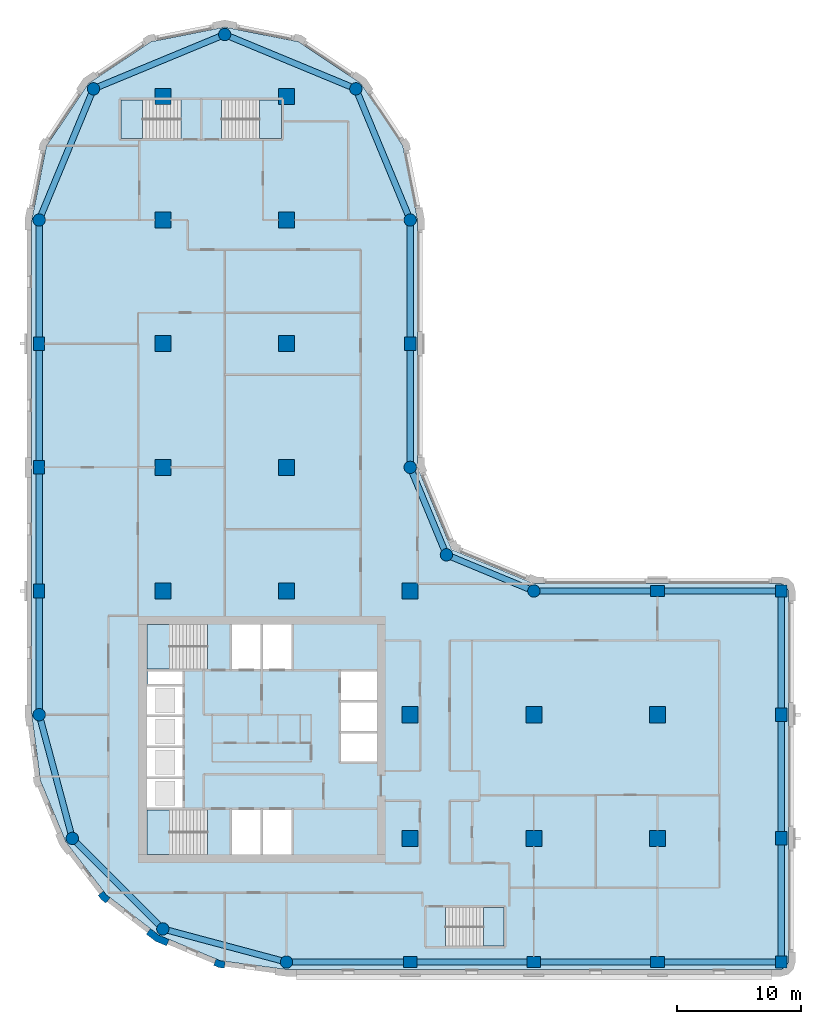
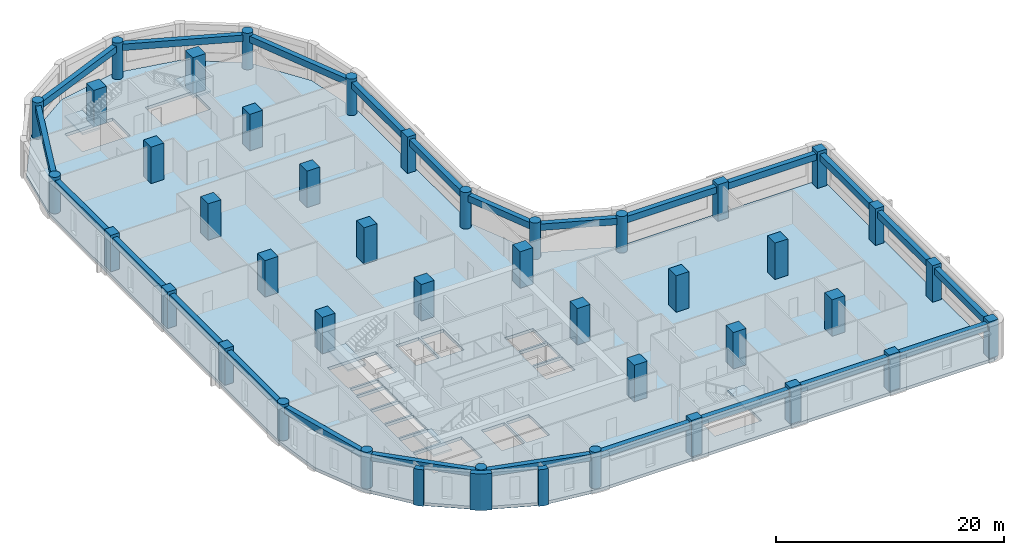
# One storey, part 1 of 10: 41 columns, 24 beams, 6 slabs, 3 walls, 5 elements without a shape of their own.
"""IFC4 building model written with IfcOpenShell, lengths in metres."""

from ifc_helpers import new_model, si_unit, direction, frame, origin, origin_2d, place, context, subcontext, project, spatial, polyline, rectangle, circle, outline, extrude, material, layer, layer_set, material_profile, profile_set, type_object, element, aggregate, save


model = new_model("IFC4")

# Units and contexts
model_context = context("Model", 3, precision=1e-05, world=origin(), true_north=direction((0.0, 1.0)))
body_context = subcontext(model_context, "Body", "Model", "MODEL_VIEW")
ifc_project = project(units=[si_unit("LENGTHUNIT", "METRE"), si_unit("AREAUNIT", "SQUARE_METRE"), si_unit("VOLUMEUNIT", "CUBIC_METRE"), si_unit("PLANEANGLEUNIT", "RADIAN"), si_unit("MASSUNIT", "GRAM", prefix="KILO")], contexts=[model_context])

# Site, building, storey
site_placement = place(None, origin())
site = spatial("IfcSite", under=ifc_project, at=site_placement, CompositionType="ELEMENT")
building_placement = place(site_placement, origin())
building = spatial("IfcBuilding", under=site, at=building_placement, Name="Qaws Garden Tower", CompositionType="ELEMENT")
storey_placement = place(building_placement, frame((0.0, 0.0, 205.800048828125)))
storey = spatial("IfcBuildingStorey", under=building, at=storey_placement, Name="L50", CompositionType="ELEMENT", Elevation=205.800048828125)

# Columns
ifc_material_1 = material(Name="Concrete C70", Category="concrete")
ifc_material_profile_1 = material_profile(ifc_material_1, rectangle(XDim=1.10009765625, YDim=0.89990234375, at=origin_2d()), Name="RC 1100x900")
ifc_profile_set_1 = profile_set([ifc_material_profile_1], Name="Concrete C70")
column_type_1 = type_object("IfcColumnType", Name="Column RC 1100x900 C70", PredefinedType="COLUMN", material=ifc_profile_set_1)
for number, where, z_axis, x_axis, name in (
    (1, (30.0, 0.0, 0.0), (0.0, 0.0, 1.0), (1.0, 0.0, 0.0), "Column L50-002"),
    (2, (40.0, 0.0, 0.0), (0.0, 0.0, 1.0), (1.0, 0.0, 0.0), "Column L50-003"),
    (3, (50.0, 0.0, 0.0), (0.0, 0.0, 1.0), (1.0, 0.0, 0.0), "Column L50-004"),
    (4, (60.0, 10.0, 0.0), (0.0, 0.0, 1.0), (0.0, 1.0, 0.0), "Column L50-006"),
    (5, (60.0, 20.0, 0.0), (0.0, 0.0, 1.0), (0.0, 1.0, 0.0), "Column L50-007"),
    (6, (50.0, 30.0, 0.0), (0.0, 0.0, 1.0), (1.0, 0.0, 0.0), "Column L50-009"),
    (7, (30.0, 50.0, 0.0), (0.0, 0.0, 1.0), (0.0, 1.0, 0.0), "Column L50-013"),
    (8, (0.0, 50.0, 0.0), (0.0, 0.0, 1.0), (0.0, 1.0, 0.0), "Column L50-019"),
    (9, (0.0, 40.0, 0.0), (0.0, 0.0, 1.0), (0.0, 1.0, 0.0), "Column L50-020"),
    (10, (0.0, 30.0, 0.0), (0.0, 0.0, 1.0), (0.0, 1.0, 0.0), "Column L50-021"),
):
    element("IfcColumn", number, at=place(storey_placement, frame(where, z_axis=z_axis, x_axis=x_axis)), inside=storey, type_object=column_type_1, Name=name, PredefinedType="COLUMN", context=body_context, shape_type="SweptSolid", body=[
        extrude(rectangle(XDim=1.10009765625, YDim=0.89990234375, at=origin_2d()), origin(), (0.0, 0.0, 1.0), 3.89990234375),
    ])
ifc_material_2 = material(Name="Concrete C70", Category="concrete")
ifc_material_profile_2 = material_profile(ifc_material_2, rectangle(XDim=1.300048828125, YDim=1.300048828125, at=origin_2d()), Name="RC 1300x1300")
ifc_profile_set_2 = profile_set([ifc_material_profile_2], Name="Concrete C70")
column_type_2 = type_object("IfcColumnType", Name="Column RC 1300x1300 C70", PredefinedType="COLUMN", material=ifc_profile_set_2)
for number, where, z_axis, x_axis, name in (
    (11, (10.0, 30.0, 0.0), (0.0, 0.0, 1.0), (1.0, 0.0, 0.0), "Column L50-025"),
    (12, (10.0, 40.0, 0.0), (0.0, 0.0, 1.0), (1.0, 0.0, 0.0), "Column L50-026"),
    (13, (10.0, 50.0, 0.0), (0.0, 0.0, 1.0), (1.0, 0.0, 0.0), "Column L50-027"),
    (14, (10.0, 60.0, 0.0), (0.0, 0.0, 1.0), (1.0, 0.0, 0.0), "Column L50-028"),
    (15, (10.0, 70.0, 0.0), (0.0, 0.0, 1.0), (1.0, 0.0, 0.0), "Column L50-029"),
    (16, (20.0, 30.0, 0.0), (0.0, 0.0, 1.0), (1.0, 0.0, 0.0), "Column L50-030"),
    (17, (20.0, 40.0, 0.0), (0.0, 0.0, 1.0), (1.0, 0.0, 0.0), "Column L50-031"),
    (18, (20.0, 50.0, 0.0), (0.0, 0.0, 1.0), (1.0, 0.0, 0.0), "Column L50-032"),
    (19, (20.0, 60.0, 0.0), (0.0, 0.0, 1.0), (1.0, 0.0, 0.0), "Column L50-033"),
    (20, (20.0, 70.0, 0.0), (0.0, 0.0, 1.0), (1.0, 0.0, 0.0), "Column L50-034"),
    (21, (30.0, 10.0, 0.0), (0.0, 0.0, 1.0), (1.0, 0.0, 0.0), "Column L50-035"),
    (22, (30.0, 20.0, 0.0), (0.0, 0.0, 1.0), (1.0, 0.0, 0.0), "Column L50-036"),
    (23, (30.0, 30.0, 0.0), (0.0, 0.0, 1.0), (1.0, 0.0, 0.0), "Column L50-037"),
    (24, (40.0, 10.0, 0.0), (0.0, 0.0, 1.0), (1.0, 0.0, 0.0), "Column L50-038"),
    (25, (40.0, 20.0, 0.0), (0.0, 0.0, 1.0), (1.0, 0.0, 0.0), "Column L50-039"),
    (26, (50.0, 10.0, 0.0), (0.0, 0.0, 1.0), (1.0, 0.0, 0.0), "Column L50-040"),
    (27, (50.0, 20.0, 0.0), (0.0, 0.0, 1.0), (1.0, 0.0, 0.0), "Column L50-041"),
):
    element("IfcColumn", number, at=place(storey_placement, frame(where, z_axis=z_axis, x_axis=x_axis)), inside=storey, type_object=column_type_2, Name=name, PredefinedType="COLUMN", context=body_context, shape_type="SweptSolid", body=[
        extrude(rectangle(XDim=1.300048828125, YDim=1.300048828125, at=origin_2d()), origin(), (0.0, 0.0, 1.0), 3.89990234375),
    ])
ifc_material_3 = material(Name="Concrete C70", Category="concrete")
ifc_material_profile_3 = material_profile(ifc_material_3, rectangle(XDim=0.949951171875, YDim=0.949951171875, at=origin_2d()), Name="RC 950x950")
ifc_profile_set_3 = profile_set([ifc_material_profile_3], Name="Concrete C70")
column_type_3 = type_object("IfcColumnType", Name="Column RC 950x950 C70", PredefinedType="COLUMN", material=ifc_profile_set_3)
for number, where, z_axis, x_axis, name in (
    (28, (60.0, 0.0, 0.0), (0.0, 0.0, 1.0), (1.0, 0.0, 0.0), "Column L50-005"),
    (29, (60.0, 30.0, 0.0), (0.0, 0.0, 1.0), (1.0, 0.0, 0.0), "Column L50-008"),
):
    element("IfcColumn", number, at=place(storey_placement, frame(where, z_axis=z_axis, x_axis=x_axis)), inside=storey, type_object=column_type_3, Name=name, PredefinedType="COLUMN", context=body_context, shape_type="SweptSolid", body=[
        extrude(rectangle(XDim=0.949951171875, YDim=0.949951171875, at=origin_2d()), origin(), (0.0, 0.0, 1.0), 3.89990234375),
    ])
ifc_material_4 = material(Name="Concrete C70", Category="concrete")
ifc_material_profile_4 = material_profile(ifc_material_4, circle(Radius=0.5, at=origin_2d()), Name="RC D1000")
ifc_profile_set_4 = profile_set([ifc_material_profile_4], Name="Concrete C70")
column_type_4 = type_object("IfcColumnType", Name="Column RC D1000 C70", PredefinedType="COLUMN", material=ifc_profile_set_4)
for number, where, z_axis, x_axis, name in (
    (30, (20.0, 0.0, 0.0), (0.0, 0.0, 1.0), (1.0, 0.0, 0.0), "Column L50-001"),
    (31, (40.0, 30.0, 0.0), (0.0, 0.0, 1.0), (1.0, 0.0, 0.0), "Column L50-010"),
    (32, (32.928955078125, 32.928955078125, 0.0), (0.0, 0.0, 1.0), (1.0, 0.0, 0.0), "Column L50-011"),
    (33, (30.0, 40.0, 0.0), (0.0, 0.0, 1.0), (1.0, 0.0, 0.0), "Column L50-012"),
    (34, (30.0, 60.0, 0.0), (0.0, 0.0, 1.0), (1.0, 0.0, 0.0), "Column L50-014"),
    (35, (25.606689453125, 70.606689453125, 0.0), (0.0, 0.0, 1.0), (1.0, 0.0, 0.0), "Column L50-015"),
    (36, (15.0, 75.0, 0.0), (0.0, 0.0, 1.0), (1.0, 0.0, 0.0), "Column L50-016"),
    (37, (4.393310546875, 70.606689453125, 0.0), (0.0, 0.0, 1.0), (1.0, 0.0, 0.0), "Column L50-017"),
    (38, (0.0, 60.0, 0.0), (0.0, 0.0, 1.0), (1.0, 0.0, 0.0), "Column L50-018"),
    (39, (0.0, 20.0, 0.0), (0.0, 0.0, 1.0), (1.0, 0.0, 0.0), "Column L50-022"),
    (40, (2.679443359375, 10.0, 0.0), (0.0, 0.0, 1.0), (1.0, 0.0, 0.0), "Column L50-023"),
    (41, (10.0, 2.679443359375, 0.0), (0.0, 0.0, 1.0), (1.0, 0.0, 0.0), "Column L50-024"),
):
    element("IfcColumn", number, at=place(storey_placement, frame(where, z_axis=z_axis, x_axis=x_axis)), inside=storey, type_object=column_type_4, Name=name, PredefinedType="COLUMN", context=body_context, shape_type="SweptSolid", body=[
        extrude(circle(Radius=0.5, at=origin_2d()), origin(), (0.0, 0.0, 1.0), 3.89990234375),
    ])

# Beams
ifc_material_5 = material(Name="Concrete C45", Category="concrete")
ifc_material_profile_5 = material_profile(ifc_material_5, rectangle(XDim=0.5, YDim=0.699951171875, at=origin_2d()), Name="RC 500x700")
ifc_profile_set_5 = profile_set([ifc_material_profile_5], Name="Concrete C45")
beam_type = type_object("IfcBeamType", Name="Spandrel beam RC 500x700 C45", PredefinedType="SPANDREL", material=ifc_profile_set_5)
for number, where, z_axis, x_axis, name in (
    (42, (20.0, 0.0, 3.22998046875), (1.0, 0.0, 0.0), (0.0, 1.0, 0.0), "Spandrel beam L50-001"),
    (43, (30.0, 0.0, 3.22998046875), (1.0, 0.0, 0.0), (0.0, 1.0, 0.0), "Spandrel beam L50-002"),
    (44, (40.0, 0.0, 3.22998046875), (1.0, 0.0, 0.0), (0.0, 1.0, 0.0), "Spandrel beam L50-003"),
    (45, (50.0, 0.0, 3.22998046875), (1.0, 0.0, 0.0), (0.0, 1.0, 0.0), "Spandrel beam L50-004"),
    (46, (60.0, 0.0, 3.22998046875), (0.0, 1.0, 0.0), (-1.0, 0.0, 0.0), "Spandrel beam L50-005"),
    (47, (60.0, 10.0, 3.22998046875), (0.0, 1.0, 0.0), (-1.0, 0.0, 0.0), "Spandrel beam L50-006"),
    (48, (60.0, 20.0, 3.22998046875), (0.0, 1.0, 0.0), (-1.0, 0.0, 0.0), "Spandrel beam L50-007"),
    (49, (60.0, 30.0, 3.22998046875), (-1.0, 0.0, 0.0), (0.0, -1.0, 0.0), "Spandrel beam L50-008"),
    (50, (50.0, 30.0, 3.22998046875), (-1.0, 0.0, 0.0), (0.0, -1.0, 0.0), "Spandrel beam L50-009"),
):
    element("IfcBeam", number, at=place(storey_placement, frame(where, z_axis=z_axis, x_axis=x_axis)), inside=storey, type_object=beam_type, Name=name, PredefinedType="SPANDREL", context=body_context, shape_type="SweptSolid", body=[
        extrude(rectangle(XDim=0.5, YDim=0.699951171875, at=origin_2d()), origin(), (0.0, 0.0, 1.0), 10.0),
    ])
for number, where, z_axis, x_axis, name in (
    (51, (40.0, 30.0, 3.22998046875), (-0.923878037141, 0.382687042488, 0.0), (-0.382687042488, -0.923878037141, 0.0), "Spandrel beam L50-010"),
    (52, (32.928955078125, 32.928955078125, 3.22998046875), (-0.382687042488, 0.923878037141, 0.0), (-0.923878037141, -0.382687042488, 0.0), "Spandrel beam L50-011"),
):
    element("IfcBeam", number, at=place(storey_placement, frame(where, z_axis=z_axis, x_axis=x_axis)), inside=storey, type_object=beam_type, Name=name, PredefinedType="SPANDREL", context=body_context, shape_type="SweptSolid", body=[
        extrude(rectangle(XDim=0.5, YDim=0.699951171875, at=origin_2d()), origin(), (0.0, 0.0, 1.0), 7.653564453125),
    ])
for number, where, z_axis, x_axis, name in (
    (53, (30.0, 40.0, 3.22998046875), (0.0, 1.0, 0.0), (-1.0, 0.0, 0.0), "Spandrel beam L50-012"),
    (54, (30.0, 50.0, 3.22998046875), (0.0, 1.0, 0.0), (-1.0, 0.0, 0.0), "Spandrel beam L50-013"),
):
    element("IfcBeam", number, at=place(storey_placement, frame(where, z_axis=z_axis, x_axis=x_axis)), inside=storey, type_object=beam_type, Name=name, PredefinedType="SPANDREL", context=body_context, shape_type="SweptSolid", body=[
        extrude(rectangle(XDim=0.5, YDim=0.699951171875, at=origin_2d()), origin(), (0.0, 0.0, 1.0), 10.0),
    ])
for number, where, z_axis, x_axis, name in (
    (55, (30.0, 60.0, 3.22998046875), (-0.382674207535, 0.923883353507, 0.0), (-0.923883353507, -0.382674207535, 0.0), "Spandrel beam L50-014"),
    (56, (25.606689453125, 70.606689453125, 3.22998046875), (-0.923883353507, 0.382674207535, 0.0), (-0.382674207535, -0.923883353507, 0.0), "Spandrel beam L50-015"),
    (57, (15.0, 75.0, 3.22998046875), (-0.923883353507, -0.382674207535, 0.0), (0.382674207535, -0.923883353507, 0.0), "Spandrel beam L50-016"),
    (58, (4.393310546875, 70.606689453125, 3.22998046875), (-0.382674207535, -0.923883353507, 0.0), (0.923883353507, -0.382674207535, 0.0), "Spandrel beam L50-017"),
):
    element("IfcBeam", number, at=place(storey_placement, frame(where, z_axis=z_axis, x_axis=x_axis)), inside=storey, type_object=beam_type, Name=name, PredefinedType="SPANDREL", context=body_context, shape_type="SweptSolid", body=[
        extrude(rectangle(XDim=0.5, YDim=0.699951171875, at=origin_2d()), origin(), (0.0, 0.0, 1.0), 11.48046875),
    ])
for number, where, z_axis, x_axis, name in (
    (59, (0.0, 60.0, 3.22998046875), (0.0, -1.0, 0.0), (1.0, 0.0, 0.0), "Spandrel beam L50-018"),
    (60, (0.0, 50.0, 3.22998046875), (0.0, -1.0, 0.0), (1.0, 0.0, 0.0), "Spandrel beam L50-019"),
    (61, (0.0, 40.0, 3.22998046875), (0.0, -1.0, 0.0), (1.0, 0.0, 0.0), "Spandrel beam L50-020"),
    (62, (0.0, 30.0, 3.22998046875), (0.0, -1.0, 0.0), (1.0, 0.0, 0.0), "Spandrel beam L50-021"),
):
    element("IfcBeam", number, at=place(storey_placement, frame(where, z_axis=z_axis, x_axis=x_axis)), inside=storey, type_object=beam_type, Name=name, PredefinedType="SPANDREL", context=body_context, shape_type="SweptSolid", body=[
        extrude(rectangle(XDim=0.5, YDim=0.699951171875, at=origin_2d()), origin(), (0.0, 0.0, 1.0), 10.0),
    ])
for number, where, z_axis, x_axis, name in (
    (63, (0.0, 20.0, 3.22998046875), (0.25881466832, -0.965926999034, 0.0), (0.965926999034, 0.25881466832, 0.0), "Spandrel beam L50-022"),
    (64, (2.679443359375, 10.0, 3.22998046875), (0.707106781187, -0.707106781187, 0.0), (0.707106781187, 0.707106781187, 0.0), "Spandrel beam L50-023"),
    (65, (10.0, 2.679443359375, 3.22998046875), (0.965926999034, -0.25881466832, 0.0), (0.25881466832, 0.965926999034, 0.0), "Spandrel beam L50-024"),
):
    element("IfcBeam", number, at=place(storey_placement, frame(where, z_axis=z_axis, x_axis=x_axis)), inside=storey, type_object=beam_type, Name=name, PredefinedType="SPANDREL", context=body_context, shape_type="SweptSolid", body=[
        extrude(rectangle(XDim=0.5, YDim=0.699951171875, at=origin_2d()), origin(), (0.0, 0.0, 1.0), 10.352783203125),
    ])

# Slab
ifc_material_6 = material(Name="Concrete C40", Category="concrete")
ifc_layer_1 = layer(ifc_material_6, 0.320068359375)
ifc_layer_set_1 = layer_set([ifc_layer_1], Name="Concrete C40")
slab_type_1 = type_object("IfcSlabType", Name="Floor slab 320 C40", PredefinedType="FLOOR", material=ifc_layer_set_1)
slab_1_placement = place(storey_placement, frame((0.0, 0.0, -0.320068359375)))
element("IfcSlab", 66, at=slab_1_placement, inside=storey, type_object=slab_type_1, Name="Floor slab L50", PredefinedType="FLOOR", context=body_context, shape_type="SweptSolid", body=[
    extrude(outline(polyline([(0.101806640625, 14.668212890625), (-0.60009765625, 20.0), (-0.60009765625, 30.60009765625), (-0.60009765625, 60.0), (-0.60009765625, 60.0), (0.58740234375, 65.969970703125), (3.968994140625, 71.031005859375), (9.030029296875, 74.41259765625), (15.0, 75.60009765625), (20.969970703125, 74.41259765625), (26.031005859375, 71.031005859375), (29.41259765625, 65.969970703125), (30.60009765625, 60.0), (30.60009765625, 40.0), (33.353271484375, 33.353271484375), (40.0, 30.60009765625), (60.0, 30.60009765625), (60.42431640625, 30.42431640625), (60.60009765625, 30.0), (60.60009765625, 0.0), (60.42431640625, -0.42431640625), (60.0, -0.60009765625), (30.60009765625, -0.60009765625), (20.0, -0.60009765625), (14.668212890625, 0.101806640625), (9.699951171875, 2.159912109375), (5.43359375, 5.43359375), (2.159912109375, 9.699951171875), (0.101806640625, 14.668212890625)]), holes=[polyline([(13.599609375, 12.300048828125), (8.699951171875, 12.300048828125), (8.699951171875, 8.699951171875), (13.599609375, 8.699951171875), (13.599609375, 12.300048828125)]), polyline([(17.89990234375, 12.300048828125), (15.60009765625, 12.300048828125), (15.60009765625, 8.699951171875), (17.89990234375, 8.699951171875), (17.89990234375, 12.300048828125)]), polyline([(11.60009765625, 14.800048828125), (8.699951171875, 14.800048828125), (8.699951171875, 12.5), (11.60009765625, 12.5), (11.60009765625, 14.800048828125)]), polyline([(11.60009765625, 17.300048828125), (8.699951171875, 17.300048828125), (8.699951171875, 15.0), (11.60009765625, 15.0), (11.60009765625, 17.300048828125)]), polyline([(11.60009765625, 19.800048828125), (8.699951171875, 19.800048828125), (8.699951171875, 17.5), (11.60009765625, 17.5), (11.60009765625, 19.800048828125)]), polyline([(11.60009765625, 22.300048828125), (8.699951171875, 22.300048828125), (8.699951171875, 20.0), (11.60009765625, 20.0), (11.60009765625, 22.300048828125)]), polyline([(11.60009765625, 23.5), (8.800048828125, 23.5), (8.800048828125, 22.5), (11.60009765625, 22.5), (11.60009765625, 23.5)]), polyline([(13.599609375, 27.300048828125), (8.699951171875, 27.300048828125), (8.699951171875, 23.699951171875), (13.599609375, 23.699951171875), (13.599609375, 27.300048828125)]), polyline([(11.449462890625, 69.699951171875), (6.60009765625, 69.699951171875), (6.60009765625, 66.60009765625), (11.449462890625, 66.60009765625), (11.449462890625, 69.699951171875)]), polyline([(37.60009765625, 4.39990234375), (32.8505859375, 4.39990234375), (32.8505859375, 1.300048828125), (37.60009765625, 1.300048828125), (37.60009765625, 4.39990234375)]), polyline([(20.39990234375, 12.300048828125), (18.10009765625, 12.300048828125), (18.10009765625, 8.699951171875), (20.39990234375, 8.699951171875), (20.39990234375, 12.300048828125)]), polyline([(27.300048828125, 18.5), (24.39990234375, 18.5), (24.39990234375, 16.199951171875), (27.300048828125, 16.199951171875), (27.300048828125, 18.5)]), polyline([(27.300048828125, 21.0), (24.39990234375, 21.0), (24.39990234375, 18.699951171875), (27.300048828125, 18.699951171875), (27.300048828125, 21.0)]), polyline([(27.300048828125, 23.5), (24.39990234375, 23.5), (24.39990234375, 21.199951171875), (27.300048828125, 21.199951171875), (27.300048828125, 23.5)]), polyline([(17.89990234375, 27.300048828125), (15.60009765625, 27.300048828125), (15.60009765625, 23.699951171875), (17.89990234375, 23.699951171875), (17.89990234375, 27.300048828125)]), polyline([(20.39990234375, 23.699951171875), (20.39990234375, 27.300048828125), (18.10009765625, 27.300048828125), (18.10009765625, 23.699951171875), (20.39990234375, 23.699951171875)]), polyline([(19.60009765625, 66.60009765625), (19.60009765625, 69.699951171875), (14.75048828125, 69.699951171875), (14.75048828125, 66.60009765625), (19.60009765625, 66.60009765625)])]), origin(), (0.0, 0.0, 1.0), 0.320068359375),
])

# Stair, slab
ifc_material_7 = material(Name="Concrete C40", Category="concrete")
stair_type_1 = type_object("IfcStairType", Name="Exit stair 1500", PredefinedType="HALF_TURN_STAIR", material=ifc_material_7)
placement_1 = place(storey_placement, origin())
stair_1 = element("IfcStair", 67, at=placement_1, inside=storey, type_object=stair_type_1, Name="Stair 1", PredefinedType="HALF_TURN_STAIR")
ifc_material_8 = material(Name="Concrete C40", Category="concrete")
ifc_layer_2 = layer(ifc_material_8, 0.199951171875)
ifc_layer_set_2 = layer_set([ifc_layer_2], Name="Concrete C40")
slab_type_2 = type_object("IfcSlabType", Name="Stair landing 200", PredefinedType="LANDING", material=ifc_layer_set_2)
placement_2 = place(storey_placement, frame((0.0, 0.0, 1.75)))
slab_2 = element("IfcSlab", 68, at=placement_2, type_object=slab_type_2, Name="ST1 landing 1", PredefinedType="LANDING", context=body_context, shape_type="SweptSolid", body=[
    extrude(outline(polyline([(8.699951171875, 8.699951171875), (10.52001953125, 8.699951171875), (10.52001953125, 12.300048828125), (8.699951171875, 12.300048828125), (8.699951171875, 8.699951171875)])), origin(), (0.0, 0.0, 1.0), 0.199951171875),
])
aggregate(stair_1, [slab_2])

stair_2 = element("IfcStair", 69, at=placement_1, inside=storey, type_object=stair_type_1, Name="Stair 4", PredefinedType="HALF_TURN_STAIR")
slab_3 = element("IfcSlab", 70, at=placement_2, type_object=slab_type_2, Name="ST4 landing 1", PredefinedType="LANDING", context=body_context, shape_type="SweptSolid", body=[
    extrude(outline(polyline([(8.699951171875, 23.699951171875), (10.52001953125, 23.699951171875), (10.52001953125, 27.300048828125), (8.699951171875, 27.300048828125), (8.699951171875, 23.699951171875)])), origin(), (0.0, 0.0, 1.0), 0.199951171875),
])
aggregate(stair_2, [slab_3])

ifc_material_9 = material(Name="Concrete C40", Category="concrete")
stair_type_2 = type_object("IfcStairType", Name="Exit stair 1350", PredefinedType="HALF_TURN_STAIR", material=ifc_material_9)
stair_3 = element("IfcStair", 71, at=placement_1, inside=storey, type_object=stair_type_2, Name="Stair 5", PredefinedType="HALF_TURN_STAIR")
slab_4 = element("IfcSlab", 72, at=placement_2, type_object=slab_type_2, Name="ST5 landing 1", PredefinedType="LANDING", context=body_context, shape_type="SweptSolid", body=[
    extrude(outline(polyline([(35.929931640625, 1.300048828125), (37.60009765625, 1.300048828125), (37.60009765625, 4.39990234375), (35.929931640625, 4.39990234375), (35.929931640625, 1.300048828125)])), origin(), (0.0, 0.0, 1.0), 0.199951171875),
])
aggregate(stair_3, [slab_4])

stair_4 = element("IfcStair", 73, at=placement_1, inside=storey, type_object=stair_type_2, Name="Stair 6", PredefinedType="HALF_TURN_STAIR")
slab_5 = element("IfcSlab", 74, at=placement_2, type_object=slab_type_2, Name="ST6 landing 1", PredefinedType="LANDING", context=body_context, shape_type="SweptSolid", body=[
    extrude(outline(polyline([(6.60009765625, 66.60009765625), (8.3701171875, 66.60009765625), (8.3701171875, 69.699951171875), (6.60009765625, 69.699951171875), (6.60009765625, 66.60009765625)])), origin(), (0.0, 0.0, 1.0), 0.199951171875),
])
aggregate(stair_4, [slab_5])

stair_5 = element("IfcStair", 75, at=placement_1, inside=storey, type_object=stair_type_2, Name="Stair 7", PredefinedType="HALF_TURN_STAIR")
slab_6 = element("IfcSlab", 76, at=placement_2, type_object=slab_type_2, Name="ST7 landing 1", PredefinedType="LANDING", context=body_context, shape_type="SweptSolid", body=[
    extrude(outline(polyline([(17.830078125, 66.60009765625), (19.60009765625, 66.60009765625), (19.60009765625, 69.699951171875), (17.830078125, 69.699951171875), (17.830078125, 66.60009765625)])), origin(), (0.0, 0.0, 1.0), 0.199951171875),
])
aggregate(stair_5, [slab_6])

# Walls
ifc_material_10 = material(Name="Buff clay facing brick masonry", Category="masonry")
ifc_layer_3 = layer(ifc_material_10, 0.550048828125)
ifc_layer_set_3 = layer_set([ifc_layer_3], Name="Buff clay facing brick masonry")
wall_type_1 = type_object("IfcWallType", Name="Buff brick kink pier 550 x 600", PredefinedType="SOLIDWALL", material=ifc_layer_set_3)
element("IfcWall", 77, at=placement_1, inside=storey, type_object=wall_type_1, Name="E-L50-pier-28", PredefinedType="SOLIDWALL", context=body_context, shape_type="SweptSolid", body=[
    extrude(outline(polyline([(4.8818359375, 5.487060546875), (4.762939453125, 5.395751953125), (5.03759765625, 5.03759765625), (5.395751953125, 4.762939453125), (5.487060546875, 4.8818359375), (5.730712890625, 5.19921875), (5.429931640625, 5.429931640625), (5.19921875, 5.730712890625), (4.8818359375, 5.487060546875)])), origin(), (0.0, 0.0, 1.0), 3.89990234375),
])
element("IfcWall", 78, at=placement_1, inside=storey, type_object=wall_type_1, Name="E-L50-pier-30", PredefinedType="SOLIDWALL", context=body_context, shape_type="SweptSolid", body=[
    extrude(outline(polyline([(14.163818359375, -0.127685546875), (14.1064453125, -0.26611328125), (14.5234375, -0.43896484375), (14.970947265625, -0.497802734375), (14.990478515625, -0.34912109375), (15.042724609375, 0.04736328125), (14.6669921875, 0.096923828125), (14.31689453125, 0.241943359375), (14.163818359375, -0.127685546875)])), origin(), (0.0, 0.0, 1.0), 3.89990234375),
])
ifc_material_11 = material(Name="Buff clay facing brick masonry", Category="masonry")
ifc_layer_4 = layer(ifc_material_11, 0.550048828125)
ifc_layer_set_4 = layer_set([ifc_layer_4], Name="Buff clay facing brick masonry")
wall_type_2 = type_object("IfcWallType", Name="Buff brick pier 550 x 1600", PredefinedType="SOLIDWALL", material=ifc_layer_set_4)
element("IfcWall", 79, at=placement_1, inside=storey, type_object=wall_type_2, Name="E-L50-pier-29", PredefinedType="SOLIDWALL", context=body_context, shape_type="SweptSolid", body=[
    extrude(outline(polyline([(8.756591796875, 2.373046875), (8.665283203125, 2.254150390625), (9.419921875, 1.675048828125), (10.299072265625, 1.310791015625), (10.3564453125, 1.449462890625), (10.509521484375, 1.819091796875), (9.697509765625, 2.1552734375), (9.0, 2.6904296875), (8.756591796875, 2.373046875)])), origin(), (0.0, 0.0, 1.0), 3.89990234375),
])

save(model, "model.ifc")
